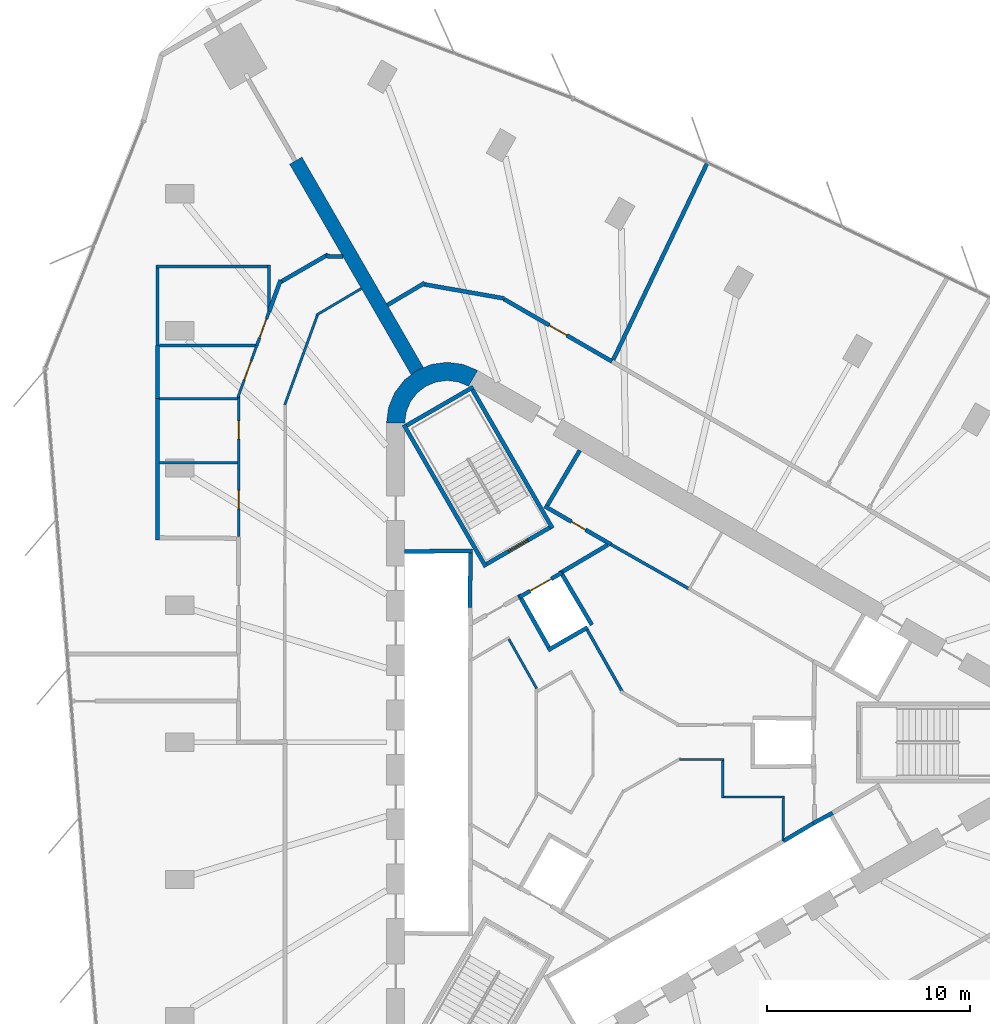
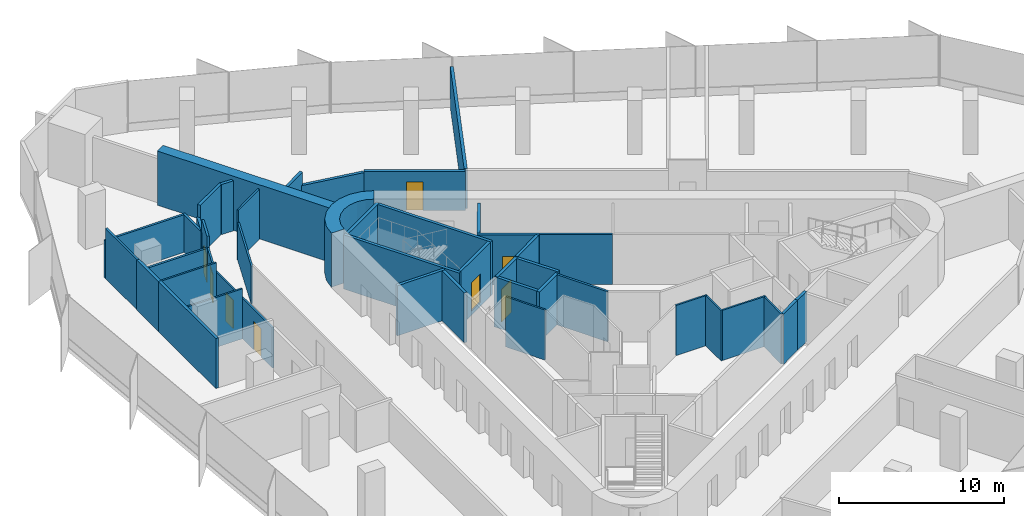
# One storey, part 10 of 13: 44 walls, 8 doors, 8 openings.
"""IFC4 building model written with IfcOpenShell, lengths in metres."""

from ifc_helpers import new_model, si_unit, direction, frame, frame_2d, origin, place, context, subcontext, project, spatial, polyline, rectangle, outline, extrude, material, layer, layer_set, type_object, element, fill, save


model = new_model("IFC4")

# Units and contexts
model_context = context("Model", 3, precision=1e-05, world=origin(), true_north=direction((0.0, 1.0)))
body_context = subcontext(model_context, "Body", "Model", "MODEL_VIEW")
ifc_project = project(units=[si_unit("LENGTHUNIT", "METRE"), si_unit("AREAUNIT", "SQUARE_METRE"), si_unit("VOLUMEUNIT", "CUBIC_METRE"), si_unit("PLANEANGLEUNIT", "RADIAN"), si_unit("MASSUNIT", "GRAM", prefix="KILO")], contexts=[model_context])

# Site, building, storey
site_placement = place(None, origin())
site = spatial("IfcSite", under=ifc_project, at=site_placement, CompositionType="ELEMENT")
building_placement = place(site_placement, origin())
building = spatial("IfcBuilding", under=site, at=building_placement, Name="Tanit Gate Tower", CompositionType="ELEMENT")
storey_placement = place(building_placement, frame((0.0, 0.0, 193.199951171875)))
storey = spatial("IfcBuildingStorey", under=building, at=storey_placement, Name="L42", CompositionType="ELEMENT", Elevation=193.199951171875)

# Walls
ifc_material_1 = material(Name="Concrete C50/60", Category="concrete")
ifc_layer_1 = layer(ifc_material_1, 0.699951171875)
ifc_layer_set_1 = layer_set([ifc_layer_1], Name="BUTTRESS FIN 700 C50/60")
wall_type_1 = type_object("IfcWallType", Name="BUTTRESS FIN 700 C50/60", PredefinedType="SHEAR", material=ifc_layer_set_1)
wall_1_placement = place(storey_placement, frame((-10.574951171875, 18.31640625, 0.0), z_axis=(0.0, 0.0, 1.0), x_axis=(-0.500001138955, 0.866024746207, 0.0)))
element("IfcWall", 1, at=wall_1_placement, inside=storey, type_object=wall_type_1, Name="BUTTRESS FIN", PredefinedType="SHEAR", context=body_context, shape_type="SweptSolid", body=[
    extrude(rectangle(XDim=12.0068359375, YDim=0.699951171875, at=frame_2d((6.00341796875, 0.0))), origin(), (0.0, 0.0, 1.0), 4.0),
])
ifc_material_2 = material(Name="Concrete C50/60", Category="concrete")
ifc_layer_2 = layer(ifc_material_2, 0.89990234375)
ifc_layer_set_2 = layer_set([ifc_layer_2], Name="CORE WALL 900 C50/60")
wall_type_2 = type_object("IfcWallType", Name="CORE WALL 900 C50/60", PredefinedType="SHEAR", material=ifc_layer_set_2)
wall_2_placement = place(storey_placement, origin())
element("IfcWall", 2, at=wall_2_placement, inside=storey, type_object=wall_type_2, Name="CORE WALL CORNER", PredefinedType="SHEAR", context=body_context, shape_type="SweptSolid", body=[
    extrude(outline(polyline([(-7.60009765625, 18.359619140625), (-8.323486328125, 18.659423828125), (-9.10009765625, 18.76171875), (-9.87646484375, 18.659423828125), (-10.60009765625, 18.359619140625), (-11.22119140625, 17.883056640625), (-11.697998046875, 17.26171875), (-11.997802734375, 16.5380859375), (-12.10009765625, 15.76171875), (-11.199951171875, 15.76171875), (-11.12841796875, 16.30517578125), (-10.918701171875, 16.811767578125), (-10.5849609375, 17.24658203125), (-10.14990234375, 17.580322265625), (-9.6435546875, 17.7900390625), (-9.10009765625, 17.86181640625), (-8.556396484375, 17.7900390625), (-8.050048828125, 17.580322265625), (-7.60009765625, 18.359619140625)])), origin(), (0.0, 0.0, 1.0), 4.0),
])

# Wall, opening, door
ifc_material_3 = material(Name="Fire-rated gypsum board partition")
ifc_layer_3 = layer(ifc_material_3, 0.199951171875)
ifc_layer_set_3 = layer_set([ifc_layer_3], Name="INT-WALL-COMPARTMENT")
wall_type_3 = type_object("IfcWallType", Name="INT-WALL-COMPARTMENT", PredefinedType="PARTITIONING", material=ifc_layer_set_3)
wall_3_placement = place(storey_placement, frame((-4.295654296875, 11.659912109375, 0.0), z_axis=(0.0, 0.0, 1.0), x_axis=(0.866027389382, -0.499996560828, 0.0)))
wall_3 = element("IfcWall", 3, at=wall_3_placement, inside=storey, type_object=wall_type_3, Name="Wall Compartment W052", PredefinedType="PARTITIONING", context=body_context, shape_type="SweptSolid", body=[
    extrude(rectangle(XDim=3.77783203125, YDim=0.199951171875, at=frame_2d((1.888916015625, 0.0))), origin(), (0.0, 0.0, 1.0), 3.699951171875),
])
opening_1_placement = place(wall_3_placement, frame((1.538818359375, 0.0, 0.0)))
opening_1 = element("IfcOpeningElement", 4, at=opening_1_placement, cuts=wall_3, Name="Opening R08-S11-15", PredefinedType="OPENING", context=body_context, shape_type="SweptSolid", body=[
    extrude(rectangle(XDim=0.800048828125, YDim=2.10009765625, at=frame_2d((0.39990234375, 1.050048828125))), frame((0.0, 0.10986328125, 0.0), z_axis=(0.0, -1.0, 0.0), x_axis=(1.0, 0.0, 0.0)), (0.0, 0.0, 1.0), 0.219970703125),
])
ifc_material_4 = material(Name="Timber door leaf", Category="wood")
door_type_1 = type_object("IfcDoorType", Name="INT-DOOR-RISER-800", OperationType="NOTDEFINED", PredefinedType="USERDEFINED", material=ifc_material_4)
door_1_placement = place(opening_1_placement, origin())
door_1 = element("IfcDoor", 5, at=door_1_placement, inside=storey, type_object=door_type_1, Name="Door R08-S11-15", ObjectType="FIRE DOOR", OperationType="SINGLE_SWING_LEFT", OverallHeight=2.10009765625, OverallWidth=0.800048828125, PredefinedType="USERDEFINED", context=body_context, shape_type="SweptSolid", body=[
    extrude(rectangle(XDim=0.800048828125, YDim=2.10009765625, at=frame_2d((0.39990234375, 1.050048828125))), frame((0.0, 0.02490234375, 0.0), z_axis=(0.0, -1.0, 0.0), x_axis=(1.0, 0.0, 0.0)), (0.0, 0.0, 1.0), 0.050048828125),
])
fill(opening_1, door_1)

# Walls
wall_4_placement = place(storey_placement, frame((-2.557861328125, 14.409423828125, 0.0), z_axis=(0.0, 0.0, 1.0), x_axis=(-0.508018930956, -0.861345903683, 0.0)))
element("IfcWall", 6, at=wall_4_placement, inside=storey, type_object=wall_type_3, Name="Wall Compartment W053", PredefinedType="PARTITIONING", context=body_context, shape_type="SweptSolid", body=[
    extrude(rectangle(XDim=3.150146484375, YDim=0.199951171875, at=frame_2d((1.5751953125, 0.0))), origin(), (0.0, 0.0, 1.0), 3.699951171875),
])
wall_5_placement = place(storey_placement, frame((-1.1787109375, 9.744873046875, 0.0), z_axis=(0.0, 0.0, 1.0), x_axis=(-0.860630814782, -0.509229418482, 0.0)))
element("IfcWall", 7, at=wall_5_placement, inside=storey, type_object=wall_type_3, Name="Wall Compartment W059", PredefinedType="PARTITIONING", context=body_context, shape_type="SweptSolid", body=[
    extrude(rectangle(XDim=2.581787109375, YDim=0.199951171875, at=frame_2d((1.291015625, 0.0))), origin(), (0.0, 0.0, 1.0), 3.699951171875),
])
wall_6_placement = place(storey_placement, frame((-17.33056640625, 22.81396484375, 0.0), z_axis=(0.0, 0.0, 1.0), x_axis=(-0.342055959579, -0.939679583963, 0.0)))
element("IfcWall", 8, at=wall_6_placement, inside=storey, type_object=wall_type_3, Name="Wall Compartment W089", PredefinedType="PARTITIONING", context=body_context, shape_type="SweptSolid", body=[
    extrude(rectangle(XDim=1.628662109375, YDim=0.199951171875, at=frame_2d((0.814453125, 0.0))), origin(), (0.0, 0.0, 1.0), 2.780029296875),
])
wall_7_placement = place(storey_placement, frame((-14.97998046875, 24.082763671875, 0.0), z_axis=(0.0, 0.0, 1.0), x_axis=(-0.866008795918, -0.500028764566, 0.0)))
element("IfcWall", 9, at=wall_7_placement, inside=storey, type_object=wall_type_3, Name="Wall Compartment W090", PredefinedType="PARTITIONING", context=body_context, shape_type="SweptSolid", body=[
    extrude(rectangle(XDim=2.713623046875, YDim=0.199951171875, at=frame_2d((1.35693359375, 0.0))), origin(), (0.0, 0.0, 1.0), 3.699951171875),
])
wall_8_placement = place(storey_placement, frame((-14.250244140625, 23.982421875, 0.0), z_axis=(0.0, 0.0, 1.0), x_axis=(-0.999799129767, 0.02004245786, 0.0)))
element("IfcWall", 10, at=wall_8_placement, inside=storey, type_object=wall_type_3, Name="Wall Compartment W091", PredefinedType="PARTITIONING", context=body_context, shape_type="SweptSolid", body=[
    extrude(rectangle(XDim=0.840576171875, YDim=0.199951171875, at=frame_2d((0.42041015625, 0.0))), origin(), (0.0, 0.0, 1.0), 3.699951171875),
])
wall_9_placement = place(storey_placement, frame((-10.209716796875, 22.681396484375, 0.0), z_axis=(0.0, 0.0, 1.0), x_axis=(-0.859700405816, -0.510798602425, 0.0)))
element("IfcWall", 11, at=wall_9_placement, inside=storey, type_object=wall_type_3, Name="Wall Compartment W100", PredefinedType="PARTITIONING", context=body_context, shape_type="SweptSolid", body=[
    extrude(rectangle(XDim=2.14892578125, YDim=0.199951171875, at=frame_2d((1.074462890625, 0.0))), origin(), (0.0, 0.0, 1.0), 3.699951171875),
])
wall_10_placement = place(storey_placement, frame((-6.28515625, 21.91259765625, 0.0), z_axis=(0.0, 0.0, 1.0), x_axis=(-0.984806073034, 0.173657705026, 0.0)))
element("IfcWall", 12, at=wall_10_placement, inside=storey, type_object=wall_type_3, Name="Wall Compartment W101", PredefinedType="PARTITIONING", context=body_context, shape_type="SweptSolid", body=[
    extrude(rectangle(XDim=4.03759765625, YDim=0.199951171875, at=frame_2d((2.018798828125, 0.0))), origin(), (0.0, 0.0, 1.0), 2.780029296875),
])

# Wall, opening, door
wall_11_placement = place(storey_placement, frame((-0.963623046875, 18.80078125, 0.0), z_axis=(0.0, 0.0, 1.0), x_axis=(-0.866039032844, 0.499976393034, 0.0)))
wall_11 = element("IfcWall", 13, at=wall_11_placement, inside=storey, type_object=wall_type_3, Name="Wall Compartment W102", PredefinedType="PARTITIONING", context=body_context, shape_type="SweptSolid", body=[
    extrude(rectangle(XDim=6.158447265625, YDim=0.199951171875, at=frame_2d((3.0791015625, 0.0))), origin(), (0.0, 0.0, 1.0), 2.880126953125),
])
opening_2_placement = place(wall_11_placement, frame((2.5791015625, 0.0, 0.0)))
opening_2 = element("IfcOpeningElement", 14, at=opening_2_placement, cuts=wall_11, Name="Opening F10-S11-27", PredefinedType="OPENING", context=body_context, shape_type="SweptSolid", body=[
    extrude(rectangle(XDim=1.0, YDim=2.10009765625, at=frame_2d((0.5, 1.050048828125))), frame((0.0, 0.10986328125, 0.0), z_axis=(0.0, -1.0, 0.0), x_axis=(1.0, 0.0, 0.0)), (0.0, 0.0, 1.0), 0.219970703125),
])
ifc_material_5 = material(Name="Fire-rated steel door leaf", Category="steel")
door_type_2 = type_object("IfcDoorType", Name="INT-DOOR-FIRE-1000", OperationType="NOTDEFINED", PredefinedType="USERDEFINED", material=ifc_material_5)
door_2_placement = place(opening_2_placement, origin())
door_2 = element("IfcDoor", 15, at=door_2_placement, inside=storey, type_object=door_type_2, Name="Door F10-S11-27", ObjectType="FIRE DOOR", OperationType="SINGLE_SWING_RIGHT", OverallHeight=2.10009765625, OverallWidth=1.0, PredefinedType="USERDEFINED", context=body_context, shape_type="SweptSolid", body=[
    extrude(rectangle(XDim=1.0, YDim=2.10009765625, at=frame_2d((0.5, 1.050048828125))), frame((0.0, 0.02490234375, 0.0), z_axis=(0.0, -1.0, 0.0), x_axis=(1.0, 0.0, 0.0)), (0.0, 0.0, 1.0), 0.050048828125),
])
fill(opening_2, door_2)

# Walls
wall_12_placement = place(storey_placement, frame((-23.39990234375, 10.0, 0.0), z_axis=(0.0, 0.0, 1.0), x_axis=(0.0, 1.0, 0.0)))
element("IfcWall", 16, at=wall_12_placement, inside=storey, type_object=wall_type_3, Name="Wall Compartment W121", PredefinedType="PARTITIONING", context=body_context, shape_type="SweptSolid", body=[
    extrude(rectangle(XDim=6.96337890625, YDim=0.199951171875, at=frame_2d((3.481689453125, 0.0))), origin(), (0.0, 0.0, 1.0), 3.699951171875),
])
wall_13_placement = place(storey_placement, frame((-23.39990234375, 16.96337890625, 0.0), z_axis=(0.0, 0.0, 1.0), x_axis=(0.0, 1.0, 0.0)))
element("IfcWall", 17, at=wall_13_placement, inside=storey, type_object=wall_type_3, Name="Wall Compartment W124", PredefinedType="PARTITIONING", context=body_context, shape_type="SweptSolid", body=[
    extrude(rectangle(XDim=2.615966796875, YDim=0.199951171875, at=frame_2d((1.30810546875, 0.0))), origin(), (0.0, 0.0, 1.0), 3.699951171875),
])
wall_14_placement = place(storey_placement, frame((-0.906494140625, 18.883056640625, 0.0), z_axis=(0.0, 0.0, 1.0), x_axis=(0.431079223671, 0.90231408219, 0.0)))
element("IfcWall", 18, at=wall_14_placement, inside=storey, type_object=wall_type_3, Name="Wall Compartment W130", PredefinedType="PARTITIONING", context=body_context, shape_type="SweptSolid", body=[
    extrude(rectangle(XDim=10.791748046875, YDim=0.199951171875, at=frame_2d((5.39599609375, 0.0))), origin(), (0.0, 0.0, 1.0), 2.97998046875),
])
ifc_material_6 = material(Name="Gypsum board partition")
ifc_layer_4 = layer(ifc_material_6, 0.1201171875)
ifc_layer_set_4 = layer_set([ifc_layer_4], Name="INT-WALL-PARTITION")
wall_type_4 = type_object("IfcWallType", Name="INT-WALL-PARTITION", PredefinedType="PARTITIONING", material=ifc_layer_set_4)
wall_15_placement = place(storey_placement, frame((4.56005859375, -0.85009765625, 0.0), z_axis=(0.0, 0.0, 1.0), x_axis=(-1.0, 0.0, 0.0)))
element("IfcWall", 19, at=wall_15_placement, inside=storey, type_object=wall_type_4, Name="Wall Partition W068", PredefinedType="PARTITIONING", context=body_context, shape_type="SweptSolid", body=[
    extrude(rectangle(XDim=2.203125, YDim=0.1201171875, at=frame_2d((1.1015625, 0.0))), origin(), (0.0, 0.0, 1.0), 3.699951171875),
])
wall_16_placement = place(storey_placement, frame((4.5, -2.760009765625, 0.0), z_axis=(0.0, 0.0, 1.0), x_axis=(0.0, 1.0, 0.0)))
element("IfcWall", 20, at=wall_16_placement, inside=storey, type_object=wall_type_4, Name="Wall Partition W069", PredefinedType="PARTITIONING", context=body_context, shape_type="SweptSolid", body=[
    extrude(rectangle(XDim=1.85009765625, YDim=0.1201171875, at=frame_2d((0.925048828125, 0.0))), origin(), (0.0, 0.0, 1.0), 3.699951171875),
])
wall_17_placement = place(storey_placement, frame((7.56005859375, -2.699951171875, 0.0), z_axis=(0.0, 0.0, 1.0), x_axis=(-1.0, 0.0, 0.0)))
element("IfcWall", 21, at=wall_17_placement, inside=storey, type_object=wall_type_4, Name="Wall Partition W070", PredefinedType="PARTITIONING", context=body_context, shape_type="SweptSolid", body=[
    extrude(rectangle(XDim=3.0, YDim=0.1201171875, at=frame_2d((1.5, 0.0))), origin(), (0.0, 0.0, 1.0), 3.699951171875),
])
wall_18_placement = place(storey_placement, frame((7.474609375, -4.864501953125, 0.0), z_axis=(0.0, 0.0, 1.0), x_axis=(0.011716133148, 0.999931363757, 0.0)))
element("IfcWall", 22, at=wall_18_placement, inside=storey, type_object=wall_type_4, Name="Wall Partition W071", PredefinedType="PARTITIONING", context=body_context, shape_type="SweptSolid", body=[
    extrude(rectangle(XDim=2.104736328125, YDim=0.1201171875, at=frame_2d((1.05224609375, 0.0))), origin(), (0.0, 0.0, 1.0), 3.699951171875),
])
wall_19_placement = place(storey_placement, frame((-4.685791015625, 2.6572265625, 0.0), z_axis=(0.0, 0.0, 1.0), x_axis=(-0.491052820648, 0.87112979936, 0.0)))
element("IfcWall", 23, at=wall_19_placement, inside=storey, type_object=wall_type_4, Name="Wall Partition W076", PredefinedType="PARTITIONING", context=body_context, shape_type="SweptSolid", body=[
    extrude(rectangle(XDim=2.796142578125, YDim=0.1201171875, at=frame_2d((1.39794921875, 0.0))), origin(), (0.0, 0.0, 1.0), 3.699951171875),
])
wall_20_placement = place(storey_placement, frame((-13.33935546875, 22.404541015625, 0.0), z_axis=(0.0, 0.0, 1.0), x_axis=(-0.86070028932, -0.509111983718, 0.0)))
element("IfcWall", 24, at=wall_20_placement, inside=storey, type_object=wall_type_4, Name="Wall Partition W082", PredefinedType="PARTITIONING", context=body_context, shape_type="SweptSolid", body=[
    extrude(rectangle(XDim=2.578857421875, YDim=0.1201171875, at=frame_2d((1.28955078125, 0.0))), origin(), (0.0, 0.0, 1.0), 3.699951171875),
])
wall_21_placement = place(storey_placement, frame((-15.505859375, 21.102783203125, 0.0), z_axis=(0.0, 0.0, 1.0), x_axis=(-0.342017079535, -0.939693735909, 0.0)))
element("IfcWall", 25, at=wall_21_placement, inside=storey, type_object=wall_type_4, Name="Wall Partition W083", PredefinedType="PARTITIONING", context=body_context, shape_type="SweptSolid", body=[
    extrude(rectangle(XDim=4.72119140625, YDim=0.1201171875, at=frame_2d((2.360595703125, 0.0))), origin(), (0.0, 0.0, 1.0), 2.780029296875),
])

# Wall, openings, doors
wall_22_placement = place(storey_placement, frame((-19.39990234375, 17.128173828125, 0.0), z_axis=(0.0, 0.0, 1.0), x_axis=(0.0, -1.0, 0.0)))
wall_22 = element("IfcWall", 26, at=wall_22_placement, inside=storey, type_object=wall_type_4, Name="Wall Partition W093", PredefinedType="PARTITIONING", context=body_context, shape_type="SweptSolid", body=[
    extrude(rectangle(XDim=6.958251953125, YDim=0.1201171875, at=frame_2d((3.47900390625, 0.0))), origin(), (0.0, 0.0, 1.0), 2.97998046875),
])
opening_3_placement = place(wall_22_placement, frame((4.690185546875, 0.0, 0.0)))
opening_3 = element("IfcOpeningElement", 27, at=opening_3_placement, cuts=wall_22, Name="Opening D09-S11-21", PredefinedType="OPENING", context=body_context, shape_type="SweptSolid", body=[
    extrude(rectangle(XDim=0.89990234375, YDim=2.10009765625, at=frame_2d((0.449951171875, 1.050048828125))), frame((0.0, 0.070068359375, 0.0), z_axis=(0.0, -1.0, 0.0), x_axis=(1.0, 0.0, 0.0)), (0.0, 0.0, 1.0), 0.14013671875),
])
opening_4_placement = place(wall_22_placement, frame((1.263671875, 0.0, 0.0)))
opening_4 = element("IfcOpeningElement", 28, at=opening_4_placement, cuts=wall_22, Name="Opening D09-S11-22", PredefinedType="OPENING", context=body_context, shape_type="SweptSolid", body=[
    extrude(rectangle(XDim=0.89990234375, YDim=2.10009765625, at=frame_2d((0.449951171875, 1.050048828125))), frame((0.0, 0.070068359375, 0.0), z_axis=(0.0, -1.0, 0.0), x_axis=(1.0, 0.0, 0.0)), (0.0, 0.0, 1.0), 0.14013671875),
])
ifc_material_7 = material(Name="Timber door leaf", Category="wood")
door_type_3 = type_object("IfcDoorType", Name="INT-DOOR-SINGLE-900", OperationType="NOTDEFINED", PredefinedType="NOTDEFINED", material=ifc_material_7)
door_3_placement = place(opening_3_placement, origin())
door_3 = element("IfcDoor", 29, at=door_3_placement, inside=storey, type_object=door_type_3, Name="Door D09-S11-21", OperationType="SINGLE_SWING_LEFT", OverallHeight=2.10009765625, OverallWidth=0.89990234375, PredefinedType="NOTDEFINED", context=body_context, shape_type="SweptSolid", body=[
    extrude(rectangle(XDim=0.89990234375, YDim=2.10009765625, at=frame_2d((0.449951171875, 1.050048828125))), frame((0.0, 0.02490234375, 0.0), z_axis=(0.0, -1.0, 0.0), x_axis=(1.0, 0.0, 0.0)), (0.0, 0.0, 1.0), 0.050048828125),
])
fill(opening_3, door_3)
door_4_placement = place(opening_4_placement, origin())
door_4 = element("IfcDoor", 30, at=door_4_placement, inside=storey, type_object=door_type_3, Name="Door D09-S11-22", OperationType="SINGLE_SWING_LEFT", OverallHeight=2.10009765625, OverallWidth=0.89990234375, PredefinedType="NOTDEFINED", context=body_context, shape_type="SweptSolid", body=[
    extrude(rectangle(XDim=0.89990234375, YDim=2.10009765625, at=frame_2d((0.449951171875, 1.050048828125))), frame((0.0, 0.02490234375, 0.0), z_axis=(0.0, -1.0, 0.0), x_axis=(1.0, 0.0, 0.0)), (0.0, 0.0, 1.0), 0.050048828125),
])
fill(opening_4, door_4)

# Wall, opening, door
wall_23_placement = place(storey_placement, frame((-18.50341796875, 19.59130859375, 0.0), z_axis=(0.0, 0.0, 1.0), x_axis=(-0.342051467618, -0.939681219085, 0.0)))
wall_23 = element("IfcWall", 31, at=wall_23_placement, inside=storey, type_object=wall_type_4, Name="Wall Partition W094", PredefinedType="PARTITIONING", context=body_context, shape_type="SweptSolid", body=[
    extrude(rectangle(XDim=2.73291015625, YDim=0.1201171875, at=frame_2d((1.366455078125, 0.0))), origin(), (0.0, 0.0, 1.0), 2.880126953125),
])
opening_5_placement = place(wall_23_placement, frame((0.810546875, 0.0, 0.0)))
opening_5 = element("IfcOpeningElement", 32, at=opening_5_placement, cuts=wall_23, Name="Opening D10-S11-23", PredefinedType="OPENING", context=body_context, shape_type="SweptSolid", body=[
    extrude(rectangle(XDim=1.0, YDim=2.10009765625, at=frame_2d((0.5, 1.050048828125))), frame((0.0, 0.070068359375, 0.0), z_axis=(0.0, -1.0, 0.0), x_axis=(1.0, 0.0, 0.0)), (0.0, 0.0, 1.0), 0.14013671875),
])
ifc_material_8 = material(Name="Timber door leaf", Category="wood")
door_type_4 = type_object("IfcDoorType", Name="INT-DOOR-SINGLE-1000", OperationType="NOTDEFINED", PredefinedType="NOTDEFINED", material=ifc_material_8)
door_5_placement = place(opening_5_placement, origin())
door_5 = element("IfcDoor", 33, at=door_5_placement, inside=storey, type_object=door_type_4, Name="Door D10-S11-23", OperationType="SINGLE_SWING_RIGHT", OverallHeight=2.10009765625, OverallWidth=1.0, PredefinedType="NOTDEFINED", context=body_context, shape_type="SweptSolid", body=[
    extrude(rectangle(XDim=1.0, YDim=2.10009765625, at=frame_2d((0.5, 1.050048828125))), frame((0.0, 0.02490234375, 0.0), z_axis=(0.0, -1.0, 0.0), x_axis=(1.0, 0.0, 0.0)), (0.0, 0.0, 1.0), 0.050048828125),
])
fill(opening_5, door_5)

# Walls
for number, where, z_axis, x_axis, name in (
    (34, (-19.4599609375, 13.8056640625, 0.0), (0.0, 0.0, 1.0), (-1.0, 0.0, 0.0), "Wall Partition W136"),
    (35, (-19.4599609375, 16.96337890625, 0.0), (0.0, 0.0, 1.0), (-1.0, 0.0, 0.0), "Wall Partition W137"),
):
    element("IfcWall", number, at=place(storey_placement, frame(where, z_axis=z_axis, x_axis=x_axis)), inside=storey, type_object=wall_type_4, Name=name, PredefinedType="PARTITIONING", context=body_context, shape_type="SweptSolid", body=[
        extrude(rectangle(XDim=3.840087890625, YDim=0.1201171875, at=frame_2d((1.919921875, 0.0))), origin(), (0.0, 0.0, 1.0), 3.699951171875),
    ])
ifc_material_9 = material(Name="Fire-rated gypsum board partition")
ifc_layer_5 = layer(ifc_material_9, 0.14990234375)
ifc_layer_set_5 = layer_set([ifc_layer_5], Name="INT-WALL-RISER")
wall_type_5 = type_object("IfcWallType", Name="INT-WALL-RISER", PredefinedType="PLUMBINGWALL", material=ifc_layer_set_5)
wall_24_placement = place(storey_placement, frame((2.82080078125, 7.5859375, 0.0), z_axis=(0.0, 0.0, 1.0), x_axis=(-0.869355227283, 0.494187706035, 0.0)))
element("IfcWall", 36, at=wall_24_placement, inside=storey, type_object=wall_type_5, Name="Wall Riser W054", PredefinedType="PLUMBINGWALL", context=body_context, shape_type="SweptSolid", body=[
    extrude(rectangle(XDim=4.422607421875, YDim=0.14990234375, at=frame_2d((2.21142578125, 0.0))), origin(), (0.0, 0.0, 1.0), 3.699951171875),
])
wall_25_placement = place(storey_placement, frame((-2.18896484375, 5.548828125, 0.0), z_axis=(0.0, 0.0, 1.0), x_axis=(0.49303694679, -0.870008373006, 0.0)))
element("IfcWall", 37, at=wall_25_placement, inside=storey, type_object=wall_type_5, Name="Wall Riser W065", PredefinedType="PLUMBINGWALL", context=body_context, shape_type="SweptSolid", body=[
    extrude(rectangle(XDim=3.5380859375, YDim=0.14990234375, at=frame_2d((1.76904296875, 0.0))), origin(), (0.0, 0.0, 1.0), 3.699951171875),
])

# Wall, opening, door
wall_26_placement = place(storey_placement, frame((-17.8876953125, 21.283447265625, 0.0), z_axis=(0.0, 0.0, 1.0), x_axis=(-0.341939006975, -0.939722148036, 0.0)))
wall_26 = element("IfcWall", 38, at=wall_26_placement, inside=storey, type_object=wall_type_5, Name="Wall Riser W095", PredefinedType="PLUMBINGWALL", context=body_context, shape_type="SweptSolid", body=[
    extrude(rectangle(XDim=1.80078125, YDim=0.14990234375, at=frame_2d((0.900390625, 0.0))), origin(), (0.0, 0.0, 1.0), 3.699951171875),
])
opening_6_placement = place(wall_26_placement, frame((0.400390625, 0.0, 0.0)))
opening_6 = element("IfcOpeningElement", 39, at=opening_6_placement, cuts=wall_26, Name="Opening F10-S11-24", PredefinedType="OPENING", context=body_context, shape_type="SweptSolid", body=[
    extrude(rectangle(XDim=1.0, YDim=2.10009765625, at=frame_2d((0.5, 1.050048828125))), frame((0.0, 0.0849609375, 0.0), z_axis=(0.0, -1.0, 0.0), x_axis=(1.0, 0.0, 0.0)), (0.0, 0.0, 1.0), 0.169921875),
])
door_6_placement = place(opening_6_placement, origin())
door_6 = element("IfcDoor", 40, at=door_6_placement, inside=storey, type_object=door_type_2, Name="Door F10-S11-24", ObjectType="FIRE DOOR", OperationType="SINGLE_SWING_LEFT", OverallHeight=2.10009765625, OverallWidth=1.0, PredefinedType="USERDEFINED", context=body_context, shape_type="SweptSolid", body=[
    extrude(rectangle(XDim=1.0, YDim=2.10009765625, at=frame_2d((0.5, 1.050048828125))), frame((0.0, 0.02490234375, 0.0), z_axis=(0.0, -1.0, 0.0), x_axis=(1.0, 0.0, 0.0)), (0.0, 0.0, 1.0), 0.050048828125),
])
fill(opening_6, door_6)

# Walls
wall_27_placement = place(storey_placement, frame((-17.89990234375, 21.264892578125, 0.0), z_axis=(0.0, 0.0, 1.0), x_axis=(0.0, 1.0, 0.0)))
element("IfcWall", 41, at=wall_27_placement, inside=storey, type_object=wall_type_5, Name="Wall Riser W125", PredefinedType="PLUMBINGWALL", context=body_context, shape_type="SweptSolid", body=[
    extrude(rectangle(XDim=2.300048828125, YDim=0.14990234375, at=frame_2d((1.14990234375, 0.0))), origin(), (0.0, 0.0, 1.0), 2.780029296875),
])
wall_28_placement = place(storey_placement, frame((-17.97509765625, 23.489990234375, 0.0), z_axis=(0.0, 0.0, 1.0), x_axis=(-1.0, 0.0, 0.0)))
element("IfcWall", 42, at=wall_28_placement, inside=storey, type_object=wall_type_5, Name="Wall Riser W126", PredefinedType="PLUMBINGWALL", context=body_context, shape_type="SweptSolid", body=[
    extrude(rectangle(XDim=5.5, YDim=0.14990234375, at=frame_2d((2.75, 0.0))), origin(), (0.0, 0.0, 1.0), 2.780029296875),
])
wall_29_placement = place(storey_placement, frame((-23.39990234375, 19.579345703125, 0.0), z_axis=(0.0, 0.0, 1.0), x_axis=(0.0, 1.0, 0.0)))
element("IfcWall", 43, at=wall_29_placement, inside=storey, type_object=wall_type_5, Name="Wall Riser W127", PredefinedType="PLUMBINGWALL", context=body_context, shape_type="SweptSolid", body=[
    extrude(rectangle(XDim=3.835693359375, YDim=0.14990234375, at=frame_2d((1.91796875, 0.0))), origin(), (0.0, 0.0, 1.0), 3.699951171875),
])
wall_30_placement = place(storey_placement, frame((-23.300048828125, 19.5869140625, 0.0), z_axis=(0.0, 0.0, 1.0), x_axis=(1.0, 0.0, 0.0)))
element("IfcWall", 44, at=wall_30_placement, inside=storey, type_object=wall_type_5, Name="Wall Riser W138", PredefinedType="PLUMBINGWALL", context=body_context, shape_type="SweptSolid", body=[
    extrude(rectangle(XDim=4.73095703125, YDim=0.14990234375, at=frame_2d((2.365478515625, 0.0))), origin(), (0.0, 0.0, 1.0), 2.880126953125),
])
ifc_material_10 = material(Name="Gypsum shaft wall system")
ifc_layer_6 = layer(ifc_material_10, 0.199951171875)
ifc_layer_set_6 = layer_set([ifc_layer_6], Name="INT-WALL-SHAFT")
wall_type_6 = type_object("IfcWallType", Name="INT-WALL-SHAFT", PredefinedType="PLUMBINGWALL", material=ifc_layer_set_6)
wall_31_placement = place(storey_placement, frame((-11.199951171875, 9.419921875, 0.0), z_axis=(0.0, 0.0, 1.0), x_axis=(0.999957167047, 0.009255488683, 0.0)))
element("IfcWall", 45, at=wall_31_placement, inside=storey, type_object=wall_type_6, Name="Wall Shaft W001", PredefinedType="PLUMBINGWALL", context=body_context, shape_type="SweptSolid", body=[
    extrude(rectangle(XDim=3.35009765625, YDim=0.199951171875, at=frame_2d((1.675048828125, 0.0))), origin(), (0.0, 0.0, 1.0), 3.699951171875),
])
wall_32_placement = place(storey_placement, frame((-7.951171875, 9.35009765625, 0.0), z_axis=(0.0, 0.0, 1.0), x_axis=(-0.011120469654, -0.999938165666, 0.0)))
element("IfcWall", 46, at=wall_32_placement, inside=storey, type_object=wall_type_6, Name="Wall Shaft W002", PredefinedType="PLUMBINGWALL", context=body_context, shape_type="SweptSolid", body=[
    extrude(rectangle(XDim=2.700439453125, YDim=0.199951171875, at=frame_2d((1.35009765625, 0.0))), origin(), (0.0, 0.0, 1.0), 3.699951171875),
])
wall_33_placement = place(storey_placement, frame((8.97412109375, -3.998779296875, 0.0), z_axis=(0.0, 0.0, 1.0), x_axis=(0.880907015104, 0.473289373154, 0.0)))
element("IfcWall", 47, at=wall_33_placement, inside=storey, type_object=wall_type_6, Name="Wall Shaft W017", PredefinedType="PLUMBINGWALL", context=body_context, shape_type="SweptSolid", body=[
    extrude(rectangle(XDim=1.078125, YDim=0.199951171875, at=frame_2d((0.5390625, 0.0))), origin(), (0.0, 0.0, 1.0), 3.699951171875),
])
wall_34_placement = place(storey_placement, frame((7.4931640625, -4.87841796875, 0.0), z_axis=(0.0, 0.0, 1.0), x_axis=(0.859981807212, 0.510324691999, 0.0)))
element("IfcWall", 48, at=wall_34_placement, inside=storey, type_object=wall_type_6, Name="Wall Shaft W018", PredefinedType="PLUMBINGWALL", context=body_context, shape_type="SweptSolid", body=[
    extrude(rectangle(XDim=1.8447265625, YDim=0.199951171875, at=frame_2d((0.92236328125, 0.0))), origin(), (0.0, 0.0, 1.0), 3.699951171875),
])

# Wall, opening, door
wall_35_placement = place(storey_placement, frame((-5.524169921875, 7.168212890625, 0.0), z_axis=(0.0, 0.0, 1.0), x_axis=(0.866024647952, 0.500001309137, 0.0)))
wall_35 = element("IfcWall", 49, at=wall_35_placement, inside=storey, type_object=wall_type_6, Name="Wall Shaft W037", PredefinedType="PLUMBINGWALL", context=body_context, shape_type="SweptSolid", body=[
    extrude(rectangle(XDim=2.39990234375, YDim=0.199951171875, at=frame_2d((1.199951171875, 0.0))), origin(), (0.0, 0.0, 1.0), 3.699951171875),
])
opening_7_placement = place(wall_35_placement, frame((0.60009765625, 0.0, 0.0)))
opening_7 = element("IfcOpeningElement", 50, at=opening_7_placement, cuts=wall_35, Name="Opening LDFL2-L42", PredefinedType="OPENING", context=body_context, shape_type="SweptSolid", body=[
    extrude(rectangle(XDim=1.199951171875, YDim=2.39990234375, at=frame_2d((0.60009765625, 1.199951171875))), frame((0.0, 0.10986328125, 0.0), z_axis=(0.0, -1.0, 0.0), x_axis=(1.0, 0.0, 0.0)), (0.0, 0.0, 1.0), 0.219970703125),
])
ifc_material_11 = material(Name="Stainless steel sliding door leaf", Category="steel")
door_type_5 = type_object("IfcDoorType", Name="INT-DOOR-LANDING-1200", OperationType="NOTDEFINED", PredefinedType="USERDEFINED", material=ifc_material_11)
door_7_placement = place(opening_7_placement, origin())
door_7 = element("IfcDoor", 51, at=door_7_placement, inside=storey, type_object=door_type_5, Name="Door LDFL2-L42", ObjectType="LANDING DOOR", OperationType="SLIDING_TO_LEFT", OverallHeight=2.39990234375, OverallWidth=1.199951171875, PredefinedType="USERDEFINED", context=body_context, shape_type="SweptSolid", body=[
    extrude(rectangle(XDim=1.199951171875, YDim=2.39990234375, at=frame_2d((0.60009765625, 1.199951171875))), frame((0.0, 0.02490234375, 0.0), z_axis=(0.0, -1.0, 0.0), x_axis=(1.0, 0.0, 0.0)), (0.0, 0.0, 1.0), 0.050048828125),
])
fill(opening_7, door_7)

# Walls
wall_36_placement = place(storey_placement, frame((-3.53759765625, 8.46533203125, 0.0), z_axis=(0.0, 0.0, 1.0), x_axis=(0.508647062354, -0.860975125052, 0.0)))
element("IfcWall", 52, at=wall_36_placement, inside=storey, type_object=wall_type_6, Name="Wall Shaft W038", PredefinedType="PLUMBINGWALL", context=body_context, shape_type="SweptSolid", body=[
    extrude(rectangle(XDim=3.10009765625, YDim=0.199951171875, at=frame_2d((1.550048828125, 0.0))), origin(), (0.0, 0.0, 1.0), 3.699951171875),
])
wall_37_placement = place(storey_placement, frame((-2.17333984375, 5.67333984375, 0.0), z_axis=(0.0, 0.0, 1.0), x_axis=(-0.866028691075, -0.499994306202, 0.0)))
element("IfcWall", 53, at=wall_37_placement, inside=storey, type_object=wall_type_6, Name="Wall Shaft W039", PredefinedType="PLUMBINGWALL", context=body_context, shape_type="SweptSolid", body=[
    extrude(rectangle(XDim=2.25439453125, YDim=0.199951171875, at=frame_2d((1.127197265625, 0.0))), origin(), (0.0, 0.0, 1.0), 3.699951171875),
])
wall_38_placement = place(storey_placement, frame((-5.5625, 7.29638671875, 0.0), z_axis=(0.0, 0.0, 1.0), x_axis=(0.49134651263, -0.870964180966, 0.0)))
element("IfcWall", 54, at=wall_38_placement, inside=storey, type_object=wall_type_6, Name="Wall Shaft W040", PredefinedType="PLUMBINGWALL", context=body_context, shape_type="SweptSolid", body=[
    extrude(rectangle(XDim=3.000244140625, YDim=0.199951171875, at=frame_2d((1.5, 0.0))), origin(), (0.0, 0.0, 1.0), 3.699951171875),
])
ifc_material_12 = material(Name="Concrete C40/50", Category="concrete")
ifc_layer_7 = layer(ifc_material_12, 0.199951171875)
ifc_layer_set_7 = layer_set([ifc_layer_7], Name="INT-WALL-STAIR")
wall_type_7 = type_object("IfcWallType", Name="INT-WALL-STAIR", PredefinedType="SHEAR", material=ifc_layer_set_7)
wall_39_placement = place(storey_placement, frame((-11.245361328125, 15.677734375, -0.300048828125), z_axis=(0.0, 0.0, 1.0), x_axis=(0.499977274689, -0.866038523851, 0.0)))
element("IfcWall", 55, at=wall_39_placement, inside=storey, type_object=wall_type_7, Name="Wall Stair W033", PredefinedType="SHEAR", context=body_context, shape_type="SweptSolid", body=[
    extrude(rectangle(XDim=8.10009765625, YDim=0.199951171875, at=frame_2d((4.050048828125, 0.0))), origin(), (0.0, 0.0, 1.0), 4.0),
])
wall_40_placement = place(storey_placement, frame((-7.81787109375, 17.541015625, -0.300048828125), z_axis=(0.0, 0.0, 1.0), x_axis=(-0.866044365799, -0.499967155389, 0.0)))
element("IfcWall", 56, at=wall_40_placement, inside=storey, type_object=wall_type_7, Name="Wall Stair W034", PredefinedType="SHEAR", context=body_context, shape_type="SweptSolid", body=[
    extrude(rectangle(XDim=3.800048828125, YDim=0.199951171875, at=frame_2d((1.89990234375, 0.0))), origin(), (0.0, 0.0, 1.0), 4.0),
])
wall_41_placement = place(storey_placement, frame((-7.8544921875, 17.404541015625, -0.300048828125), z_axis=(0.0, 0.0, 1.0), x_axis=(0.499997992926, -0.866026562566, 0.0)))
element("IfcWall", 57, at=wall_41_placement, inside=storey, type_object=wall_type_7, Name="Wall Stair W035", PredefinedType="SHEAR", context=body_context, shape_type="SweptSolid", body=[
    extrude(rectangle(XDim=7.89990234375, YDim=0.199951171875, at=frame_2d((3.949951171875, 0.0))), origin(), (0.0, 0.0, 1.0), 4.0),
])

# Wall, opening, door
wall_42_placement = place(storey_placement, frame((-7.158935546875, 8.799560546875, -0.300048828125), z_axis=(0.0, 0.0, 1.0), x_axis=(0.866047807691, 0.499961193289, 0.0)))
wall_42 = element("IfcWall", 58, at=wall_42_placement, inside=storey, type_object=wall_type_7, Name="Wall Stair W036", PredefinedType="SHEAR", context=body_context, shape_type="SweptSolid", body=[
    extrude(rectangle(XDim=3.599853515625, YDim=0.199951171875, at=frame_2d((1.7998046875, 0.0))), origin(), (0.0, 0.0, 1.0), 4.0),
])
opening_8_placement = place(wall_42_placement, frame((1.25, 0.0, 0.300048828125)))
opening_8 = element("IfcOpeningElement", 59, at=opening_8_placement, cuts=wall_42, Name="Opening S11-S11-04", PredefinedType="OPENING", context=body_context, shape_type="SweptSolid", body=[
    extrude(rectangle(XDim=1.10009765625, YDim=2.10009765625, at=frame_2d((0.550048828125, 1.050048828125))), frame((0.0, 0.10986328125, 0.0), z_axis=(0.0, -1.0, 0.0), x_axis=(1.0, 0.0, 0.0)), (0.0, 0.0, 1.0), 0.219970703125),
])
ifc_material_13 = material(Name="Timber door leaf", Category="wood")
door_type_6 = type_object("IfcDoorType", Name="INT-DOOR-STAIR-1100", OperationType="NOTDEFINED", PredefinedType="USERDEFINED", material=ifc_material_13)
door_8_placement = place(opening_8_placement, origin())
door_8 = element("IfcDoor", 60, at=door_8_placement, inside=storey, type_object=door_type_6, Name="Door S11-S11-04", ObjectType="FIRE DOOR", OperationType="SINGLE_SWING_LEFT", OverallHeight=2.10009765625, OverallWidth=1.10009765625, PredefinedType="USERDEFINED", context=body_context, shape_type="SweptSolid", body=[
    extrude(rectangle(XDim=1.10009765625, YDim=2.10009765625, at=frame_2d((0.550048828125, 1.050048828125))), frame((0.0, 0.02490234375, 0.0), z_axis=(0.0, -1.0, 0.0), x_axis=(1.0, 0.0, 0.0)), (0.0, 0.0, 1.0), 0.050048828125),
])
fill(opening_8, door_8)

save(model, "model.ifc")
